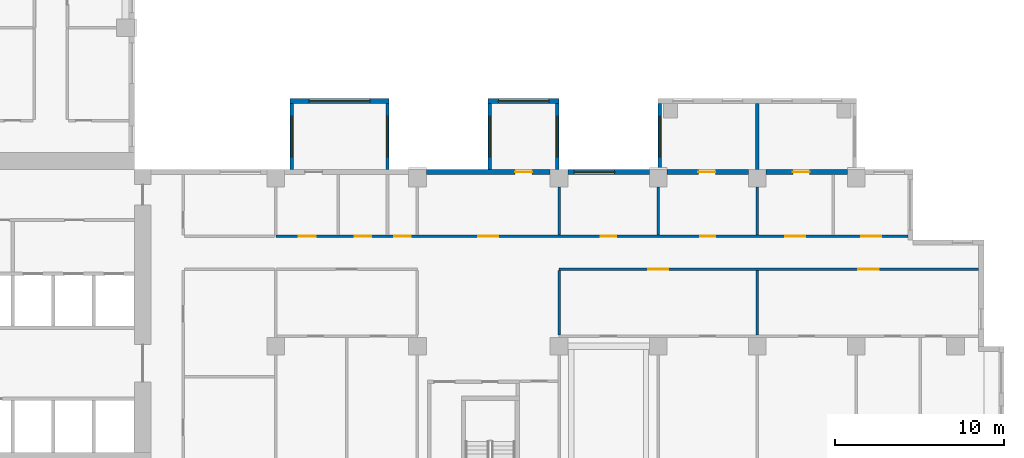
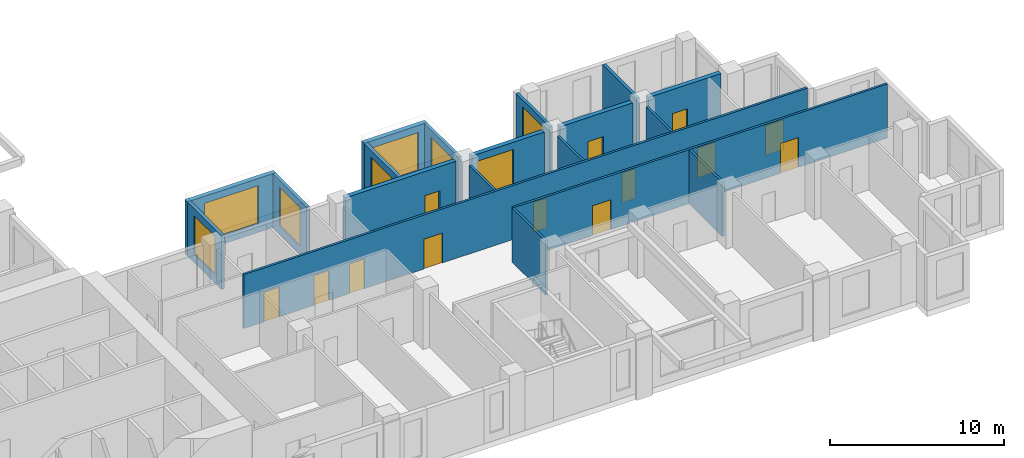
# One storey, part 5 of 14: 19 walls, 13 doors, 8 windows, 21 openings.
"""IFC4 building model written with IfcOpenShell, lengths in metres."""

from ifc_helpers import new_model, si_unit, direction, frame, frame_2d, origin, place, context, subcontext, project, spatial, rectangle, extrude, source, transform, mapped, material, layer, layer_set, type_object, element, fill, save


model = new_model("IFC4")

# Units and contexts
model_context = context("Model", 3, precision=1e-05, world=origin(), true_north=direction((0.0, 1.0)))
body_context = subcontext(model_context, "Body", "Model", "MODEL_VIEW")
ifc_project = project(units=[si_unit("LENGTHUNIT", "METRE"), si_unit("AREAUNIT", "SQUARE_METRE"), si_unit("VOLUMEUNIT", "CUBIC_METRE"), si_unit("PLANEANGLEUNIT", "RADIAN"), si_unit("MASSUNIT", "GRAM", prefix="KILO")], contexts=[model_context])

# Site, building, storey
site_placement = place(None, origin())
site = spatial("IfcSite", under=ifc_project, at=site_placement, CompositionType="ELEMENT")
building_placement = place(site_placement, origin())
building = spatial("IfcBuilding", under=site, at=building_placement, Name="Aurelian Terraces", CompositionType="ELEMENT")
storey_placement = place(building_placement, frame((0.0, 0.0, 141.3)))
storey = spatial("IfcBuildingStorey", under=building, at=storey_placement, Name="L31", CompositionType="ELEMENT", Elevation=141.3)

# Wall, opening, window
ifc_material_1 = material(Name="Concrete fc' 40 MPa", Category="concrete")
ifc_layer_1 = layer(ifc_material_1, 0.2)
ifc_layer_set_1 = layer_set([ifc_layer_1], Name="BOX BEARING WALL 200")
wall_type_1 = type_object("IfcWallType", Name="BOX BEARING WALL 200", PredefinedType="SOLIDWALL", material=ifc_layer_set_1)
shared_shape_1 = source(origin(), body_context, "Body", "SweptSolid", [
    extrude(rectangle(XDim=3.9, YDim=0.2, at=frame_2d((1.95, 0.0))), origin(), (0.0, 0.0, 1.0), 3.79),
])
wall_1_placement = place(storey_placement, frame((52.18, 21.0, 0.0), z_axis=(0.0, 0.0, 1.0), x_axis=(0.0, 1.0, 0.0)))
wall_1 = element("IfcWall", 1, at=wall_1_placement, inside=storey, type_object=wall_type_1, Name="Box return L31 K02.2", PredefinedType="SOLIDWALL", context=body_context, shape_type="MappedRepresentation", body=[
    mapped(shared_shape_1, transform((0.0, 0.0, 0.0), scale=1.0)),
])
shared_shape_2 = source(origin(), body_context, "Body", "SweptSolid", [
    extrude(rectangle(XDim=2.4, YDim=2.7, at=frame_2d((1.2, 1.35))), frame((0.0, 0.11, 0.0), z_axis=(0.0, -1.0, 0.0), x_axis=(1.0, 0.0, 0.0)), (0.0, 0.0, 1.0), 0.22),
])
opening_1_placement = place(wall_1_placement, frame((0.75, 0.0, 0.6)))
opening_1 = element("IfcOpeningElement", 2, at=opening_1_placement, cuts=wall_1, Name="Opening W2427", PredefinedType="OPENING", context=body_context, shape_type="MappedRepresentation", body=[
    mapped(shared_shape_2, transform((0.0, 0.0, 0.0), scale=1.0)),
])
ifc_material_2 = material(Name="Clear glazing", Category="glass")
window_type_1 = type_object("IfcWindowType", Name="W-2400x2700", PartitioningType="SINGLE_PANEL", PredefinedType="WINDOW", material=ifc_material_2)
shared_shape_3 = source(origin(), body_context, "Body", "SweptSolid", [
    extrude(rectangle(XDim=2.4, YDim=2.7, at=frame_2d((1.2, 1.35))), frame((0.0, 0.03, 0.0), z_axis=(0.0, -1.0, 0.0), x_axis=(1.0, 0.0, 0.0)), (0.0, 0.0, 1.0), 0.06),
])
window_1_placement = place(opening_1_placement, origin())
window_1 = element("IfcWindow", 3, at=window_1_placement, inside=storey, type_object=window_type_1, Name="Window L31 K02-S2", OverallHeight=2.7, OverallWidth=2.4, PartitioningType="SINGLE_PANEL", PredefinedType="WINDOW", context=body_context, shape_type="MappedRepresentation", body=[
    mapped(shared_shape_3, transform((0.0, 0.0, 0.0), scale=1.0)),
])
fill(opening_1, window_1)

shared_shape_4 = source(origin(), body_context, "Body", "SweptSolid", [
    extrude(rectangle(XDim=3.9, YDim=0.2, at=frame_2d((1.95, 0.0))), origin(), (0.0, 0.0, 1.0), 3.8),
])
wall_2_placement = place(storey_placement, frame((36.02, 21.0, 0.0), z_axis=(0.0, 0.0, 1.0), x_axis=(0.0, 1.0, 0.0)))
wall_2 = element("IfcWall", 4, at=wall_2_placement, inside=storey, type_object=wall_type_1, Name="Box return L31 J42.1", PredefinedType="SOLIDWALL", context=body_context, shape_type="MappedRepresentation", body=[
    mapped(shared_shape_4, transform((0.0, 0.0, 0.0), scale=1.0)),
])
opening_2_placement = place(wall_2_placement, frame((0.75, 0.0, 0.6)))
opening_2 = element("IfcOpeningElement", 5, at=opening_2_placement, cuts=wall_2, Name="Opening W2427", PredefinedType="OPENING", context=body_context, shape_type="MappedRepresentation", body=[
    mapped(shared_shape_2, transform((0.0, 0.0, 0.0), scale=1.0)),
])
window_2_placement = place(opening_2_placement, origin())
window_2 = element("IfcWindow", 6, at=window_2_placement, inside=storey, type_object=window_type_1, Name="Window L31 J42-S1", OverallHeight=2.7, OverallWidth=2.4, PartitioningType="SINGLE_PANEL", PredefinedType="WINDOW", context=body_context, shape_type="MappedRepresentation", body=[
    mapped(shared_shape_3, transform((0.0, 0.0, 0.0), scale=1.0)),
])
fill(opening_2, window_2)

wall_3_placement = place(storey_placement, frame((30.34, 21.0, 0.0), z_axis=(0.0, 0.0, 1.0), x_axis=(0.0, 1.0, 0.0)))
wall_3 = element("IfcWall", 7, at=wall_3_placement, inside=storey, type_object=wall_type_1, Name="Box return L31 J42.2", PredefinedType="SOLIDWALL", context=body_context, shape_type="MappedRepresentation", body=[
    mapped(shared_shape_4, transform((0.0, 0.0, 0.0), scale=1.0)),
])
opening_3_placement = place(wall_3_placement, frame((0.75, 0.0, 0.6)))
opening_3 = element("IfcOpeningElement", 8, at=opening_3_placement, cuts=wall_3, Name="Opening W2427", PredefinedType="OPENING", context=body_context, shape_type="MappedRepresentation", body=[
    mapped(shared_shape_2, transform((0.0, 0.0, 0.0), scale=1.0)),
])
window_3_placement = place(opening_3_placement, origin())
window_3 = element("IfcWindow", 9, at=window_3_placement, inside=storey, type_object=window_type_1, Name="Window L31 J42-S2", OverallHeight=2.7, OverallWidth=2.4, PartitioningType="SINGLE_PANEL", PredefinedType="WINDOW", context=body_context, shape_type="MappedRepresentation", body=[
    mapped(shared_shape_3, transform((0.0, 0.0, 0.0), scale=1.0)),
])
fill(opening_3, window_3)

wall_4_placement = place(storey_placement, frame((46.1, 21.0, 0.0), z_axis=(0.0, 0.0, 1.0), x_axis=(0.0, 1.0, 0.0)))
wall_4 = element("IfcWall", 10, at=wall_4_placement, inside=storey, type_object=wall_type_1, Name="Box return L31 J43.1", PredefinedType="SOLIDWALL", context=body_context, shape_type="MappedRepresentation", body=[
    mapped(shared_shape_4, transform((0.0, 0.0, 0.0), scale=1.0)),
])
opening_4_placement = place(wall_4_placement, frame((0.75, 0.0, 0.6)))
opening_4 = element("IfcOpeningElement", 11, at=opening_4_placement, cuts=wall_4, Name="Opening W2427", PredefinedType="OPENING", context=body_context, shape_type="MappedRepresentation", body=[
    mapped(shared_shape_2, transform((0.0, 0.0, 0.0), scale=1.0)),
])
window_4_placement = place(opening_4_placement, origin())
window_4 = element("IfcWindow", 12, at=window_4_placement, inside=storey, type_object=window_type_1, Name="Window L31 J43-S1", OverallHeight=2.7, OverallWidth=2.4, PartitioningType="SINGLE_PANEL", PredefinedType="WINDOW", context=body_context, shape_type="MappedRepresentation", body=[
    mapped(shared_shape_3, transform((0.0, 0.0, 0.0), scale=1.0)),
])
fill(opening_4, window_4)

wall_5_placement = place(storey_placement, frame((42.1, 21.0, 0.0), z_axis=(0.0, 0.0, 1.0), x_axis=(0.0, 1.0, 0.0)))
wall_5 = element("IfcWall", 13, at=wall_5_placement, inside=storey, type_object=wall_type_1, Name="Box return L31 J43.2", PredefinedType="SOLIDWALL", context=body_context, shape_type="MappedRepresentation", body=[
    mapped(shared_shape_4, transform((0.0, 0.0, 0.0), scale=1.0)),
])
opening_5_placement = place(wall_5_placement, frame((0.75, 0.0, 0.6)))
opening_5 = element("IfcOpeningElement", 14, at=opening_5_placement, cuts=wall_5, Name="Opening W2427", PredefinedType="OPENING", context=body_context, shape_type="MappedRepresentation", body=[
    mapped(shared_shape_2, transform((0.0, 0.0, 0.0), scale=1.0)),
])
window_5_placement = place(opening_5_placement, origin())
window_5 = element("IfcWindow", 15, at=window_5_placement, inside=storey, type_object=window_type_1, Name="Window L31 J43-S2", OverallHeight=2.7, OverallWidth=2.4, PartitioningType="SINGLE_PANEL", PredefinedType="WINDOW", context=body_context, shape_type="MappedRepresentation", body=[
    mapped(shared_shape_3, transform((0.0, 0.0, 0.0), scale=1.0)),
])
fill(opening_5, window_5)

ifc_layer_2 = layer(ifc_material_1, 0.3)
ifc_layer_set_2 = layer_set([ifc_layer_2], Name="BOX BEARING WALL 300")
wall_type_2 = type_object("IfcWallType", Name="BOX BEARING WALL 300", PredefinedType="SOLIDWALL", material=ifc_layer_set_2)
shared_shape_5 = source(origin(), body_context, "Body", "SweptSolid", [
    extrude(rectangle(XDim=5.88, YDim=0.3, at=frame_2d((2.94, 0.0))), origin(), (0.0, 0.0, 1.0), 3.8),
])
wall_6_placement = place(storey_placement, frame((36.12, 25.05, 0.0), z_axis=(0.0, 0.0, 1.0), x_axis=(-1.0, 0.0, 0.0)))
wall_6 = element("IfcWall", 16, at=wall_6_placement, inside=storey, type_object=wall_type_2, Name="Box wall L31 J42", PredefinedType="SOLIDWALL", context=body_context, shape_type="MappedRepresentation", body=[
    mapped(shared_shape_5, transform((0.0, 0.0, 0.0), scale=1.0)),
])
shared_shape_6 = source(origin(), body_context, "Body", "SweptSolid", [
    extrude(rectangle(XDim=3.6, YDim=2.7, at=frame_2d((1.8, 1.35))), frame((0.0, 0.16, 0.0), z_axis=(0.0, -1.0, 0.0), x_axis=(1.0, 0.0, 0.0)), (0.0, 0.0, 1.0), 0.32),
])
opening_6_placement = place(wall_6_placement, frame((1.14, 0.0, 0.6)))
opening_6 = element("IfcOpeningElement", 17, at=opening_6_placement, cuts=wall_6, Name="Opening W3627", PredefinedType="OPENING", context=body_context, shape_type="MappedRepresentation", body=[
    mapped(shared_shape_6, transform((0.0, 0.0, 0.0), scale=1.0)),
])
window_type_2 = type_object("IfcWindowType", Name="W-3600x2700", PartitioningType="SINGLE_PANEL", PredefinedType="WINDOW", material=ifc_material_2)
shared_shape_7 = source(origin(), body_context, "Body", "SweptSolid", [
    extrude(rectangle(XDim=3.6, YDim=2.7, at=frame_2d((1.8, 1.35))), frame((0.0, 0.03, 0.0), z_axis=(0.0, -1.0, 0.0), x_axis=(1.0, 0.0, 0.0)), (0.0, 0.0, 1.0), 0.06),
])
window_6_placement = place(opening_6_placement, origin())
window_6 = element("IfcWindow", 18, at=window_6_placement, inside=storey, type_object=window_type_2, Name="Window L31 J42-F1", OverallHeight=2.7, OverallWidth=3.6, PartitioningType="SINGLE_PANEL", PredefinedType="WINDOW", context=body_context, shape_type="MappedRepresentation", body=[
    mapped(shared_shape_7, transform((0.0, 0.0, 0.0), scale=1.0)),
])
fill(opening_6, window_6)

# Wall
shared_shape_8 = source(origin(), body_context, "Body", "SweptSolid", [
    extrude(rectangle(XDim=3.9, YDim=0.2, at=frame_2d((1.95, 0.0))), origin(), (0.0, 0.0, 1.0), 3.79),
])
wall_7_placement = place(storey_placement, frame((57.96, 21.0, 0.0), z_axis=(0.0, 0.0, 1.0), x_axis=(0.0, 1.0, 0.0)))
element("IfcWall", 19, at=wall_7_placement, inside=storey, type_object=wall_type_1, Name="Box partition L31 K02", PredefinedType="SOLIDWALL", context=body_context, shape_type="MappedRepresentation", body=[
    mapped(shared_shape_8, transform((0.0, 0.0, 0.0), scale=1.0)),
])

# Wall, opening, window
shared_shape_9 = source(origin(), body_context, "Body", "SweptSolid", [
    extrude(rectangle(XDim=4.2, YDim=0.3, at=frame_2d((2.1, 0.0))), origin(), (0.0, 0.0, 1.0), 3.8),
])
wall_8_placement = place(storey_placement, frame((46.2, 25.05, 0.0), z_axis=(0.0, 0.0, 1.0), x_axis=(-1.0, 0.0, 0.0)))
wall_8 = element("IfcWall", 20, at=wall_8_placement, inside=storey, type_object=wall_type_2, Name="Box wall L31 J43", PredefinedType="SOLIDWALL", context=body_context, shape_type="MappedRepresentation", body=[
    mapped(shared_shape_9, transform((0.0, 0.0, 0.0), scale=1.0)),
])
shared_shape_10 = source(origin(), body_context, "Body", "SweptSolid", [
    extrude(rectangle(XDim=3.0, YDim=2.7, at=frame_2d((1.5, 1.35))), frame((0.0, 0.16, 0.0), z_axis=(0.0, -1.0, 0.0), x_axis=(1.0, 0.0, 0.0)), (0.0, 0.0, 1.0), 0.32),
])
opening_7_placement = place(wall_8_placement, frame((0.6, 0.0, 0.6)))
opening_7 = element("IfcOpeningElement", 21, at=opening_7_placement, cuts=wall_8, Name="Opening W3027", PredefinedType="OPENING", context=body_context, shape_type="MappedRepresentation", body=[
    mapped(shared_shape_10, transform((0.0, 0.0, 0.0), scale=1.0)),
])
window_type_3 = type_object("IfcWindowType", Name="W-3000x2700", PartitioningType="SINGLE_PANEL", PredefinedType="WINDOW", material=ifc_material_2)
shared_shape_11 = source(origin(), body_context, "Body", "SweptSolid", [
    extrude(rectangle(XDim=3.0, YDim=2.7, at=frame_2d((1.5, 1.35))), frame((0.0, 0.03, 0.0), z_axis=(0.0, -1.0, 0.0), x_axis=(1.0, 0.0, 0.0)), (0.0, 0.0, 1.0), 0.06),
])
window_7_placement = place(opening_7_placement, origin())
window_7 = element("IfcWindow", 22, at=window_7_placement, inside=storey, type_object=window_type_3, Name="Window L31 J43-F1", OverallHeight=2.7, OverallWidth=3.0, PartitioningType="SINGLE_PANEL", PredefinedType="WINDOW", context=body_context, shape_type="MappedRepresentation", body=[
    mapped(shared_shape_11, transform((0.0, 0.0, 0.0), scale=1.0)),
])
fill(opening_7, window_7)

# Wall, opening, door
ifc_material_3 = material(Name="Terracotta rainscreen cladding", Category="masonry")
ifc_layer_3 = layer(ifc_material_3, 0.3)
ifc_layer_set_3 = layer_set([ifc_layer_3], Name="EW-300")
wall_type_3 = type_object("IfcWallType", Name="EW-300", PredefinedType="STANDARD", material=ifc_layer_set_3)
shared_shape_12 = source(origin(), body_context, "Body", "SweptSolid", [
    extrude(rectangle(XDim=7.35, YDim=0.3, at=frame_2d((3.675, 0.0))), origin(), (0.0, 0.0, 1.0), 3.8),
])
wall_9_placement = place(storey_placement, frame((45.675, 20.85, 0.0), z_axis=(0.0, 0.0, 1.0), x_axis=(-1.0, 0.0, 0.0)))
wall_9 = element("IfcWall", 23, at=wall_9_placement, inside=storey, type_object=wall_type_3, Name="External wall L31 F07.19", PredefinedType="STANDARD", context=body_context, shape_type="MappedRepresentation", body=[
    mapped(shared_shape_12, transform((0.0, 0.0, 0.0), scale=1.0)),
])
shared_shape_13 = source(origin(), body_context, "Body", "SweptSolid", [
    extrude(rectangle(XDim=1.0, YDim=2.1, at=frame_2d((0.5, 1.05))), frame((0.0, 0.16, 0.0), z_axis=(0.0, -1.0, 0.0), x_axis=(1.0, 0.0, 0.0)), (0.0, 0.0, 1.0), 0.32),
])
opening_8_placement = place(wall_9_placement, frame((1.075, 0.0, 0.0)))
opening_8 = element("IfcOpeningElement", 24, at=opening_8_placement, cuts=wall_9, Name="Opening 831002", PredefinedType="OPENING", context=body_context, shape_type="MappedRepresentation", body=[
    mapped(shared_shape_13, transform((0.0, 0.0, 0.0), scale=1.0)),
])
ifc_material_4 = material(Name="Timber door leaf", Category="wood")
door_type_1 = type_object("IfcDoorType", Name="Room door 1000x2100 left", OperationType="SINGLE_SWING_LEFT", PredefinedType="DOOR", material=ifc_material_4)
shared_shape_14 = source(origin(), body_context, "Body", "SweptSolid", [
    extrude(rectangle(XDim=1.0, YDim=2.1, at=frame_2d((0.5, 1.05))), frame((0.0, 0.025, 0.0), z_axis=(0.0, -1.0, 0.0), x_axis=(1.0, 0.0, 0.0)), (0.0, 0.0, 1.0), 0.05),
])
door_1_placement = place(opening_8_placement, origin())
door_1 = element("IfcDoor", 25, at=door_1_placement, inside=storey, type_object=door_type_1, Name="Door 831002", OperationType="SINGLE_SWING_LEFT", OverallHeight=2.1, OverallWidth=1.0, PredefinedType="DOOR", context=body_context, shape_type="MappedRepresentation", body=[
    mapped(shared_shape_14, transform((0.0, 0.0, 0.0), scale=1.0)),
])
fill(opening_8, door_1)

shared_shape_15 = source(origin(), body_context, "Body", "SweptSolid", [
    extrude(rectangle(XDim=4.83, YDim=0.3, at=frame_2d((2.415, 0.0))), origin(), (0.0, 0.0, 1.0), 3.8),
])
wall_10_placement = place(storey_placement, frame((63.315, 20.85, 0.0), z_axis=(0.0, 0.0, 1.0), x_axis=(-1.0, 0.0, 0.0)))
wall_10 = element("IfcWall", 26, at=wall_10_placement, inside=storey, type_object=wall_type_3, Name="External wall L31 F07.18", PredefinedType="STANDARD", context=body_context, shape_type="MappedRepresentation", body=[
    mapped(shared_shape_15, transform((0.0, 0.0, 0.0), scale=1.0)),
])
opening_9_placement = place(wall_10_placement, frame((2.2417, 0.0, 0.0)))
opening_9 = element("IfcOpeningElement", 27, at=opening_9_placement, cuts=wall_10, Name="Opening 831004", PredefinedType="OPENING", context=body_context, shape_type="MappedRepresentation", body=[
    mapped(shared_shape_13, transform((0.0, 0.0, 0.0), scale=1.0)),
])
door_2_placement = place(opening_9_placement, origin())
door_2 = element("IfcDoor", 28, at=door_2_placement, inside=storey, type_object=door_type_1, Name="Door 831004", OperationType="SINGLE_SWING_LEFT", OverallHeight=2.1, OverallWidth=1.0, PredefinedType="DOOR", context=body_context, shape_type="MappedRepresentation", body=[
    mapped(shared_shape_14, transform((0.0, 0.0, 0.0), scale=1.0)),
])
fill(opening_9, door_2)

wall_11_placement = place(storey_placement, frame((57.435, 20.85, 0.0), z_axis=(0.0, 0.0, 1.0), x_axis=(-1.0, 0.0, 0.0)))
wall_11 = element("IfcWall", 29, at=wall_11_placement, inside=storey, type_object=wall_type_3, Name="External wall L31 F07.18", PredefinedType="STANDARD", context=body_context, shape_type="MappedRepresentation", body=[
    mapped(shared_shape_15, transform((0.0, 0.0, 0.0), scale=1.0)),
])
opening_10_placement = place(wall_11_placement, frame((1.9617, 0.0, 0.0)))
opening_10 = element("IfcOpeningElement", 30, at=opening_10_placement, cuts=wall_11, Name="Opening 831005", PredefinedType="OPENING", context=body_context, shape_type="MappedRepresentation", body=[
    mapped(shared_shape_13, transform((0.0, 0.0, 0.0), scale=1.0)),
])
door_3_placement = place(opening_10_placement, origin())
door_3 = element("IfcDoor", 31, at=door_3_placement, inside=storey, type_object=door_type_1, Name="Door 831005", OperationType="SINGLE_SWING_LEFT", OverallHeight=2.1, OverallWidth=1.0, PredefinedType="DOOR", context=body_context, shape_type="MappedRepresentation", body=[
    mapped(shared_shape_14, transform((0.0, 0.0, 0.0), scale=1.0)),
])
fill(opening_10, door_3)

# Wall, opening, window
wall_12_placement = place(storey_placement, frame((51.555, 20.85, 0.0), z_axis=(0.0, 0.0, 1.0), x_axis=(-1.0, 0.0, 0.0)))
wall_12 = element("IfcWall", 32, at=wall_12_placement, inside=storey, type_object=wall_type_3, Name="External wall L31 F07.18", PredefinedType="STANDARD", context=body_context, shape_type="MappedRepresentation", body=[
    mapped(shared_shape_15, transform((0.0, 0.0, 0.0), scale=1.0)),
])
shared_shape_16 = source(origin(), body_context, "Body", "SweptSolid", [
    extrude(rectangle(XDim=2.4, YDim=2.7, at=frame_2d((1.2, 1.35))), frame((0.0, 0.16, 0.0), z_axis=(0.0, -1.0, 0.0), x_axis=(1.0, 0.0, 0.0)), (0.0, 0.0, 1.0), 0.32),
])
opening_11_placement = place(wall_12_placement, frame((2.055, 0.0, 0.6)))
opening_11 = element("IfcOpeningElement", 33, at=opening_11_placement, cuts=wall_12, Name="Opening W2427", PredefinedType="OPENING", context=body_context, shape_type="MappedRepresentation", body=[
    mapped(shared_shape_16, transform((0.0, 0.0, 0.0), scale=1.0)),
])
window_8_placement = place(opening_11_placement, origin())
window_8 = element("IfcWindow", 34, at=window_8_placement, inside=storey, type_object=window_type_1, Name="Window L31 L31-F07-18-4", OverallHeight=2.7, OverallWidth=2.4, PartitioningType="SINGLE_PANEL", PredefinedType="WINDOW", context=body_context, shape_type="MappedRepresentation", body=[
    mapped(shared_shape_3, transform((0.0, 0.0, 0.0), scale=1.0)),
])
fill(opening_11, window_8)

# Wall, openings, doors
ifc_material_5 = material(Name="Gypsum board on steel studs", Category="steel")
ifc_layer_4 = layer(ifc_material_5, 0.15)
ifc_layer_set_4 = layer_set([ifc_layer_4], Name="Fire partition 150")
wall_type_4 = type_object("IfcWallType", Name="Fire partition 150", PredefinedType="PARTITIONING", material=ifc_layer_set_4)
shared_shape_17 = source(origin(), body_context, "Body", "SweptSolid", [
    extrude(rectangle(XDim=24.9, YDim=0.15, at=frame_2d((12.45, 0.0))), origin(), (0.0, 0.0, 1.0), 3.8),
])
wall_13_placement = place(storey_placement, frame((71.1, 15.075, 0.0), z_axis=(0.0, 0.0, 1.0), x_axis=(-1.0, 0.0, 0.0)))
wall_13 = element("IfcWall", 35, at=wall_13_placement, inside=storey, type_object=wall_type_4, Name="Corridor wall", PredefinedType="PARTITIONING", context=body_context, shape_type="MappedRepresentation", body=[
    mapped(shared_shape_17, transform((0.0, 0.0, 0.0), scale=1.0)),
])
shared_shape_18 = source(origin(), body_context, "Body", "SweptSolid", [
    extrude(rectangle(XDim=1.2, YDim=2.1, at=frame_2d((0.6, 1.05))), frame((0.0, 0.085, 0.0), z_axis=(0.0, -1.0, 0.0), x_axis=(1.0, 0.0, 0.0)), (0.0, 0.0, 1.0), 0.17),
])
opening_12_placement = place(wall_13_placement, frame((18.42, 0.0, 0.0)))
opening_12 = element("IfcOpeningElement", 36, at=opening_12_placement, cuts=wall_13, Name="Opening 731009", PredefinedType="OPENING", context=body_context, shape_type="MappedRepresentation", body=[
    mapped(shared_shape_18, transform((0.0, 0.0, 0.0), scale=1.0)),
])
opening_13_placement = place(wall_13_placement, frame((5.9325, 0.0, 0.0)))
opening_13 = element("IfcOpeningElement", 37, at=opening_13_placement, cuts=wall_13, Name="Opening 731012", PredefinedType="OPENING", context=body_context, shape_type="MappedRepresentation", body=[
    mapped(shared_shape_18, transform((0.0, 0.0, 0.0), scale=1.0)),
])
door_type_2 = type_object("IfcDoorType", Name="Room door 1200x2100 left", OperationType="SINGLE_SWING_LEFT", PredefinedType="DOOR", material=ifc_material_4)
shared_shape_19 = source(origin(), body_context, "Body", "SweptSolid", [
    extrude(rectangle(XDim=1.2, YDim=2.1, at=frame_2d((0.6, 1.05))), frame((0.0, 0.025, 0.0), z_axis=(0.0, -1.0, 0.0), x_axis=(1.0, 0.0, 0.0)), (0.0, 0.0, 1.0), 0.05),
])
door_4_placement = place(opening_12_placement, origin())
door_4 = element("IfcDoor", 38, at=door_4_placement, inside=storey, type_object=door_type_2, Name="Door 731009", OperationType="SINGLE_SWING_LEFT", OverallHeight=2.1, OverallWidth=1.2, PredefinedType="DOOR", context=body_context, shape_type="MappedRepresentation", body=[
    mapped(shared_shape_19, transform((0.0, 0.0, 0.0), scale=1.0)),
])
fill(opening_12, door_4)
door_5_placement = place(opening_13_placement, origin())
door_5 = element("IfcDoor", 39, at=door_5_placement, inside=storey, type_object=door_type_2, Name="Door 731012", OperationType="SINGLE_SWING_LEFT", OverallHeight=2.1, OverallWidth=1.2, PredefinedType="DOOR", context=body_context, shape_type="MappedRepresentation", body=[
    mapped(shared_shape_19, transform((0.0, 0.0, 0.0), scale=1.0)),
])
fill(opening_13, door_5)

shared_shape_20 = source(origin(), body_context, "Body", "SweptSolid", [
    extrude(rectangle(XDim=37.5, YDim=0.15, at=frame_2d((18.75, 0.0))), origin(), (0.0, 0.0, 1.0), 3.8),
])
wall_14_placement = place(storey_placement, frame((29.4, 17.025, 0.0), z_axis=(0.0, 0.0, 1.0), x_axis=(1.0, 0.0, 0.0)))
wall_14 = element("IfcWall", 40, at=wall_14_placement, inside=storey, type_object=wall_type_4, Name="Corridor wall", PredefinedType="PARTITIONING", context=body_context, shape_type="MappedRepresentation", body=[
    mapped(shared_shape_20, transform((0.0, 0.0, 0.0), scale=1.0)),
])
shared_shape_21 = source(origin(), body_context, "Body", "SweptSolid", [
    extrude(rectangle(XDim=1.0, YDim=2.1, at=frame_2d((0.5, 1.05))), frame((0.0, 0.085, 0.0), z_axis=(0.0, -1.0, 0.0), x_axis=(1.0, 0.0, 0.0)), (0.0, 0.0, 1.0), 0.17),
])
opening_14_placement = place(wall_14_placement, frame((1.3567, 0.0, 0.0)))
opening_14 = element("IfcOpeningElement", 41, at=opening_14_placement, cuts=wall_14, Name="Opening 731016", PredefinedType="OPENING", context=body_context, shape_type="MappedRepresentation", body=[
    mapped(shared_shape_21, transform((0.0, 0.0, 0.0), scale=1.0)),
])
opening_15_placement = place(wall_14_placement, frame((4.6686, 0.0, 0.0)))
opening_15 = element("IfcOpeningElement", 42, at=opening_15_placement, cuts=wall_14, Name="Opening 731017", PredefinedType="OPENING", context=body_context, shape_type="MappedRepresentation", body=[
    mapped(shared_shape_21, transform((0.0, 0.0, 0.0), scale=1.0)),
])
opening_16_placement = place(wall_14_placement, frame((7.012, 0.0, 0.0)))
opening_16 = element("IfcOpeningElement", 43, at=opening_16_placement, cuts=wall_14, Name="Opening 731018", PredefinedType="OPENING", context=body_context, shape_type="MappedRepresentation", body=[
    mapped(shared_shape_21, transform((0.0, 0.0, 0.0), scale=1.0)),
])
opening_17_placement = place(wall_14_placement, frame((12.0, 0.0, 0.0)))
opening_17 = element("IfcOpeningElement", 44, at=opening_17_placement, cuts=wall_14, Name="Opening 731019", PredefinedType="OPENING", context=body_context, shape_type="MappedRepresentation", body=[
    mapped(shared_shape_18, transform((0.0, 0.0, 0.0), scale=1.0)),
])
shared_shape_22 = source(origin(), body_context, "Body", "SweptSolid", [
    extrude(rectangle(XDim=0.9, YDim=2.1, at=frame_2d((0.45, 1.05))), frame((0.0, 0.085, 0.0), z_axis=(0.0, -1.0, 0.0), x_axis=(1.0, 0.0, 0.0)), (0.0, 0.0, 1.0), 0.17),
])
opening_18_placement = place(wall_14_placement, frame((19.29, 0.0, 0.0)))
opening_18 = element("IfcOpeningElement", 45, at=opening_18_placement, cuts=wall_14, Name="Opening 731020", PredefinedType="OPENING", context=body_context, shape_type="MappedRepresentation", body=[
    mapped(shared_shape_22, transform((0.0, 0.0, 0.0), scale=1.0)),
])
opening_19_placement = place(wall_14_placement, frame((25.17, 0.0, 0.0)))
opening_19 = element("IfcOpeningElement", 46, at=opening_19_placement, cuts=wall_14, Name="Opening 731021", PredefinedType="OPENING", context=body_context, shape_type="MappedRepresentation", body=[
    mapped(shared_shape_22, transform((0.0, 0.0, 0.0), scale=1.0)),
])
opening_20_placement = place(wall_14_placement, frame((30.2138, 0.0, 0.0)))
opening_20 = element("IfcOpeningElement", 47, at=opening_20_placement, cuts=wall_14, Name="Opening 731022", PredefinedType="OPENING", context=body_context, shape_type="MappedRepresentation", body=[
    mapped(shared_shape_18, transform((0.0, 0.0, 0.0), scale=1.0)),
])
opening_21_placement = place(wall_14_placement, frame((34.7212, 0.0, 0.0)))
opening_21 = element("IfcOpeningElement", 48, at=opening_21_placement, cuts=wall_14, Name="Opening 731023", PredefinedType="OPENING", context=body_context, shape_type="MappedRepresentation", body=[
    mapped(shared_shape_18, transform((0.0, 0.0, 0.0), scale=1.0)),
])
door_6_placement = place(opening_14_placement, origin())
door_6 = element("IfcDoor", 49, at=door_6_placement, inside=storey, type_object=door_type_1, Name="Door 731016", OperationType="SINGLE_SWING_LEFT", OverallHeight=2.1, OverallWidth=1.0, PredefinedType="DOOR", context=body_context, shape_type="MappedRepresentation", body=[
    mapped(shared_shape_14, transform((0.0, 0.0, 0.0), scale=1.0)),
])
fill(opening_14, door_6)
door_type_3 = type_object("IfcDoorType", Name="Room door 1000x2100 right", OperationType="SINGLE_SWING_RIGHT", PredefinedType="DOOR", material=ifc_material_4)
door_7_placement = place(opening_15_placement, origin())
door_7 = element("IfcDoor", 50, at=door_7_placement, inside=storey, type_object=door_type_3, Name="Door 731017", OperationType="SINGLE_SWING_RIGHT", OverallHeight=2.1, OverallWidth=1.0, PredefinedType="DOOR", context=body_context, shape_type="MappedRepresentation", body=[
    mapped(shared_shape_14, transform((0.0, 0.0, 0.0), scale=1.0)),
])
fill(opening_15, door_7)
door_8_placement = place(opening_16_placement, origin())
door_8 = element("IfcDoor", 51, at=door_8_placement, inside=storey, type_object=door_type_1, Name="Door 731018", OperationType="SINGLE_SWING_LEFT", OverallHeight=2.1, OverallWidth=1.0, PredefinedType="DOOR", context=body_context, shape_type="MappedRepresentation", body=[
    mapped(shared_shape_14, transform((0.0, 0.0, 0.0), scale=1.0)),
])
fill(opening_16, door_8)
door_type_4 = type_object("IfcDoorType", Name="Room door 900x2100 left", OperationType="SINGLE_SWING_LEFT", PredefinedType="DOOR", material=ifc_material_4)
shared_shape_23 = source(origin(), body_context, "Body", "SweptSolid", [
    extrude(rectangle(XDim=0.9, YDim=2.1, at=frame_2d((0.45, 1.05))), frame((0.0, 0.025, 0.0), z_axis=(0.0, -1.0, 0.0), x_axis=(1.0, 0.0, 0.0)), (0.0, 0.0, 1.0), 0.05),
])
door_9_placement = place(opening_18_placement, origin())
door_9 = element("IfcDoor", 52, at=door_9_placement, inside=storey, type_object=door_type_4, Name="Door 731020", OperationType="SINGLE_SWING_LEFT", OverallHeight=2.1, OverallWidth=0.9, PredefinedType="DOOR", context=body_context, shape_type="MappedRepresentation", body=[
    mapped(shared_shape_23, transform((0.0, 0.0, 0.0), scale=1.0)),
])
fill(opening_18, door_9)
door_type_5 = type_object("IfcDoorType", Name="Room door 900x2100 right", OperationType="SINGLE_SWING_RIGHT", PredefinedType="DOOR", material=ifc_material_4)
door_10_placement = place(opening_19_placement, origin())
door_10 = element("IfcDoor", 53, at=door_10_placement, inside=storey, type_object=door_type_5, Name="Door 731021", OperationType="SINGLE_SWING_RIGHT", OverallHeight=2.1, OverallWidth=0.9, PredefinedType="DOOR", context=body_context, shape_type="MappedRepresentation", body=[
    mapped(shared_shape_23, transform((0.0, 0.0, 0.0), scale=1.0)),
])
fill(opening_19, door_10)
door_11_placement = place(opening_17_placement, origin())
door_11 = element("IfcDoor", 54, at=door_11_placement, inside=storey, type_object=door_type_2, Name="Door 731019", OperationType="SINGLE_SWING_LEFT", OverallHeight=2.1, OverallWidth=1.2, PredefinedType="DOOR", context=body_context, shape_type="MappedRepresentation", body=[
    mapped(shared_shape_19, transform((0.0, 0.0, 0.0), scale=1.0)),
])
fill(opening_17, door_11)
door_12_placement = place(opening_20_placement, origin())
door_12 = element("IfcDoor", 55, at=door_12_placement, inside=storey, type_object=door_type_2, Name="Door 731022", OperationType="SINGLE_SWING_LEFT", OverallHeight=2.1, OverallWidth=1.2, PredefinedType="DOOR", context=body_context, shape_type="MappedRepresentation", body=[
    mapped(shared_shape_19, transform((0.0, 0.0, 0.0), scale=1.0)),
])
fill(opening_20, door_12)
door_type_6 = type_object("IfcDoorType", Name="Room door 1200x2100 right", OperationType="SINGLE_SWING_RIGHT", PredefinedType="DOOR", material=ifc_material_4)
door_13_placement = place(opening_21_placement, origin())
door_13 = element("IfcDoor", 56, at=door_13_placement, inside=storey, type_object=door_type_6, Name="Door 731023", OperationType="SINGLE_SWING_RIGHT", OverallHeight=2.1, OverallWidth=1.2, PredefinedType="DOOR", context=body_context, shape_type="MappedRepresentation", body=[
    mapped(shared_shape_19, transform((0.0, 0.0, 0.0), scale=1.0)),
])
fill(opening_21, door_13)

# Walls
ifc_layer_5 = layer(ifc_material_5, 0.15)
ifc_layer_set_5 = layer_set([ifc_layer_5], Name="Partition 150")
wall_type_5 = type_object("IfcWallType", Name="Partition 150", PredefinedType="PARTITIONING", material=ifc_layer_set_5)
shared_shape_24 = source(origin(), body_context, "Body", "SweptSolid", [
    extrude(rectangle(XDim=3.825, YDim=0.15, at=frame_2d((1.9125, 0.0))), origin(), (0.0, 0.0, 1.0), 3.8),
])
for number, where, z_axis, x_axis, name in (
    (57, (46.2, 11.175, 0.0), (0.0, 0.0, 1.0), (0.0, 1.0, 0.0), "Partition"),
    (58, (57.96, 11.175, 0.0), (0.0, 0.0, 1.0), (0.0, 1.0, 0.0), "Partition"),
):
    element("IfcWall", number, at=place(storey_placement, frame(where, z_axis=z_axis, x_axis=x_axis)), inside=storey, type_object=wall_type_5, Name=name, PredefinedType="PARTITIONING", context=body_context, shape_type="MappedRepresentation", body=[
        mapped(shared_shape_24, transform((0.0, 0.0, 0.0), scale=1.0)),
    ])
shared_shape_25 = source(origin(), body_context, "Body", "SweptSolid", [
    extrude(rectangle(XDim=2.851, YDim=0.15, at=frame_2d((1.4255, 0.0))), origin(), (0.0, 0.0, 1.0), 3.8),
])
for number, where, z_axis, x_axis, name in (
    (59, (52.08, 19.951, 0.0), (0.0, 0.0, 1.0), (0.0, -1.0, 0.0), "Partition"),
    (60, (46.2, 17.1, 0.0), (0.0, 0.0, 1.0), (0.0, 1.0, 0.0), "Partition"),
    (61, (57.96, 17.1, 0.0), (0.0, 0.0, 1.0), (0.0, 1.0, 0.0), "Partition"),
):
    element("IfcWall", number, at=place(storey_placement, frame(where, z_axis=z_axis, x_axis=x_axis)), inside=storey, type_object=wall_type_5, Name=name, PredefinedType="PARTITIONING", context=body_context, shape_type="MappedRepresentation", body=[
        mapped(shared_shape_25, transform((0.0, 0.0, 0.0), scale=1.0)),
    ])

save(model, "model.ifc")
